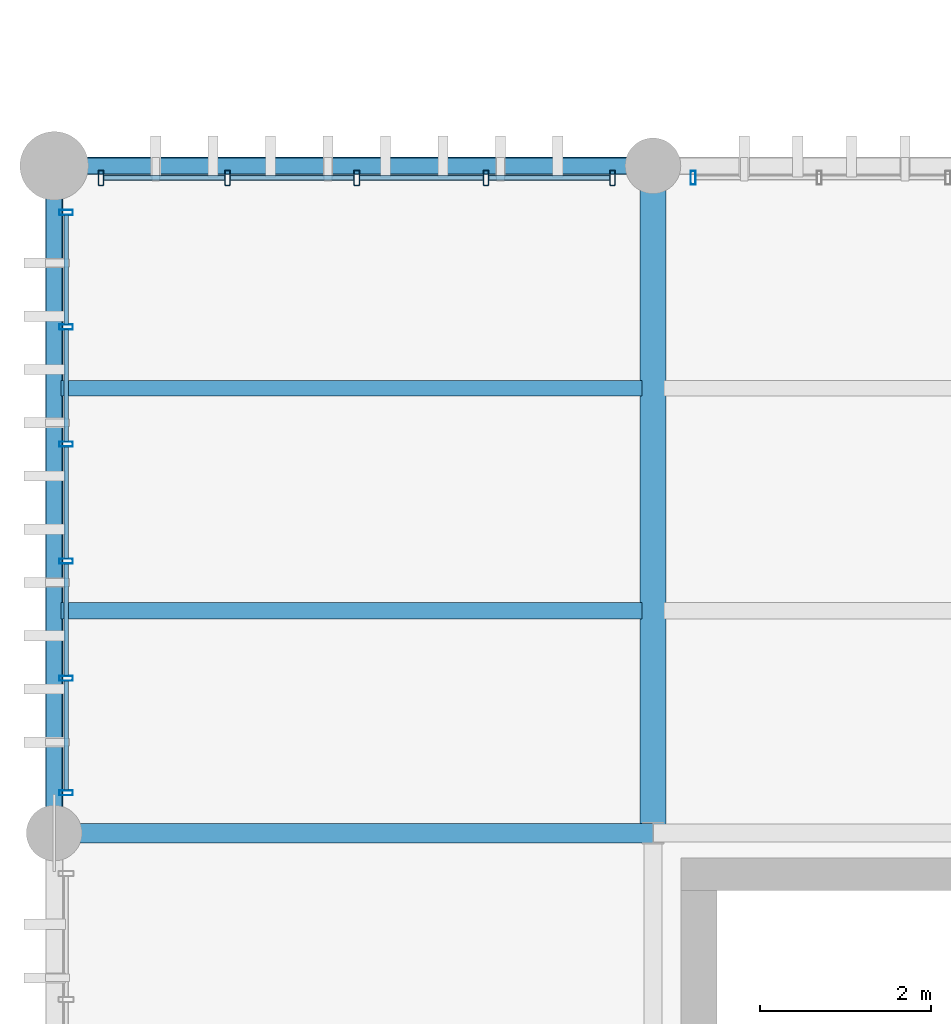
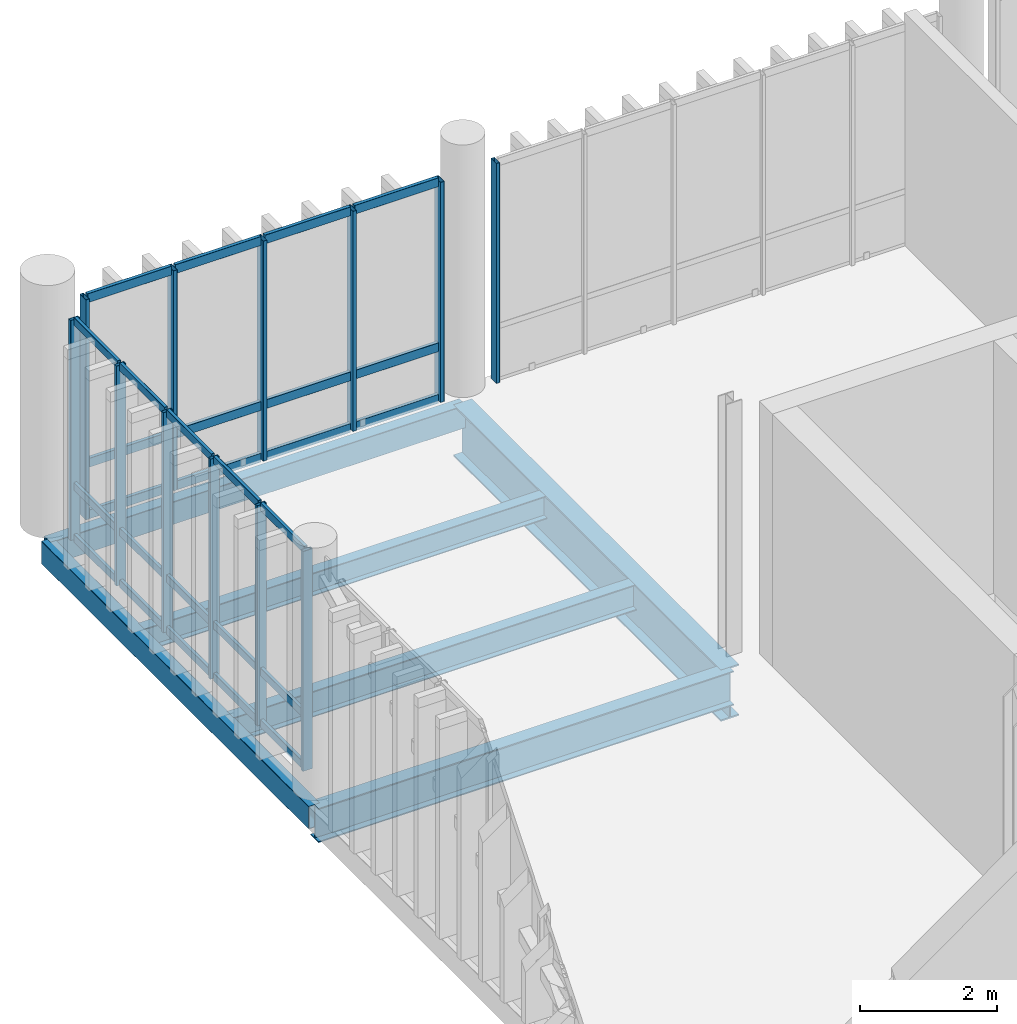
# One storey, part 11 of 66: 39 members, 6 beams, 3 elements without a shape of their own.
"""IFC4 building model written with IfcOpenShell, lengths in metres."""

import ifcopenshell
import ifcopenshell.guid

model = None  # the IFC model being written
_history = None  # IfcOwnerHistory: only IFC2X3 demands one
_inside = {}  # id of a spatial element -> (the spatial element, [elements in it])
_under = {}  # id of a project, library or spatial element -> (it, [spatial elements below it])
_declared = {}  # id of a project -> (the project, [libraries it declares])
_typed = {}  # id of a type object -> (the type object, [elements of that type])
_made_of = {}  # id of a material, layer set ... -> (it, [elements and type objects made of it])


def new_model(schema):
    """Start an empty IFC model of exactly this schema.

    Asked for "IFC4X3", IfcOpenShell would pick the latest addendum, in which some entities
    have other attributes; the version numbers below select the first issue.
    IFC2X3 requires an IfcOwnerHistory on every rooted entity: one is made here for all.
    """
    global model, _history
    if schema == "IFC4X3":
        model = ifcopenshell.file(schema_version=(4, 3, 0, 0))
    else:
        model = ifcopenshell.file(schema=schema)
    _inside.clear()
    _under.clear()
    _declared.clear()
    _typed.clear()
    _made_of.clear()
    _history = None
    if model.schema == "IFC2X3":
        org = make("IfcOrganization", Name="unknown")
        user = make(
            "IfcPersonAndOrganization",
            ThePerson=make("IfcPerson", FamilyName="unknown"),
            TheOrganization=org,
        )
        app = make(
            "IfcApplication",
            ApplicationDeveloper=org,
            Version="unknown",
            ApplicationFullName="unknown",
            ApplicationIdentifier="unknown",
        )
        _history = make(
            "IfcOwnerHistory",
            OwningUser=user,
            OwningApplication=app,
            ChangeAction="ADDED",
            CreationDate=0,
        )
    return model


def make(cls, **values):
    """One entity of the class cls with the attributes given. An attribute that is None is left unset."""
    return model.create_entity(
        cls, **{name: value for name, value in values.items() if value is not None}
    )


def rooted(cls, **values):
    """An entity with a GlobalId (a new one), such as an element, a storey or a relation."""
    return make(cls, GlobalId=ifcopenshell.guid.new(), OwnerHistory=_history, **values)


def si_unit(unit_type, name, prefix=None):
    """IfcSIUnit, for example si_unit("LENGTHUNIT", "METRE", prefix="MILLI")."""
    return make("IfcSIUnit", UnitType=unit_type, Prefix=prefix, Name=name)


def assignment(units):
    """IfcUnitAssignment: the units of a project."""
    return None if units is None else make("IfcUnitAssignment", Units=units)


def point(xyz):
    """IfcCartesianPoint."""
    return None if xyz is None else make("IfcCartesianPoint", Coordinates=xyz)


def direction(xyz):
    """IfcDirection."""
    return None if xyz is None else make("IfcDirection", DirectionRatios=xyz)


def frame(location, z_axis=None, x_axis=None):
    """IfcAxis2Placement3D, a coordinate frame: its origin and axes. An axis left out is left unset."""
    return make(
        "IfcAxis2Placement3D",
        Location=point(location),
        Axis=direction(z_axis),
        RefDirection=direction(x_axis),
    )


def frame_2d(location, x_axis=None):
    """IfcAxis2Placement2D, a coordinate frame in the plane: its origin and x axis."""
    return make(
        "IfcAxis2Placement2D", Location=point(location), RefDirection=direction(x_axis)
    )


def origin_with_axes():
    """The frame at (0, 0, 0) with the z axis (0, 0, 1) and the x axis (1, 0, 0) written out."""
    return frame((0.0, 0.0, 0.0), z_axis=(0.0, 0.0, 1.0), x_axis=(1.0, 0.0, 0.0))


def origin_2d_with_axis():
    """The frame at (0, 0) in the plane with the x axis (1, 0) written out."""
    return frame_2d((0.0, 0.0), x_axis=(1.0, 0.0))


def place(relative_to, where):
    """IfcLocalPlacement: puts the frame where relative to a parent placement (None: the world)."""
    return make(
        "IfcLocalPlacement", PlacementRelTo=relative_to, RelativePlacement=where
    )


def context(
    kind, dimensions, precision=None, world=None, true_north=None, identifier=None
):
    """IfcGeometricRepresentationContext, for example the 3D "Model" context."""
    return make(
        "IfcGeometricRepresentationContext",
        ContextIdentifier=identifier,
        ContextType=kind,
        CoordinateSpaceDimension=dimensions,
        Precision=precision,
        WorldCoordinateSystem=world,
        TrueNorth=true_north,
    )


def subcontext(parent, identifier, kind, view, scale=None):
    """IfcGeometricRepresentationSubContext, for example "Body" below "Model"."""
    return make(
        "IfcGeometricRepresentationSubContext",
        ContextIdentifier=identifier,
        ContextType=kind,
        ParentContext=parent,
        TargetScale=scale,
        TargetView=view,
    )


def project(units=None, contexts=None):
    """IfcProject with its units and contexts."""
    return rooted(
        "IfcProject",
        Name="project",
        RepresentationContexts=contexts,
        UnitsInContext=assignment(units),
    )


def spatial(cls, under=None, at=None, **own):
    """A site, building, storey or space (cls), placed at a placement, below another one or the project."""
    s = rooted(cls, ObjectPlacement=at, **own)
    if under is not None:
        _under.setdefault(under.id(), (under, []))[1].append(s)
    return s


def profile(cls, at=None, kind="AREA", **sizes):
    """A parametric profile (cls). Its sizes go by their IFC names, for example OverallWidth=200.0."""
    return make(cls, ProfileType=kind, Position=at, **sizes)


def hollow_rectangle(**sizes):
    """IfcRectangleHollowProfileDef."""
    return profile("IfcRectangleHollowProfileDef", **sizes)


def i_section(**sizes):
    """IfcIShapeProfileDef."""
    return profile("IfcIShapeProfileDef", **sizes)


def extrude(swept, where, along, depth):
    """IfcExtrudedAreaSolid: the profile swept, set in the frame where, extruded along a direction by depth."""
    return make(
        "IfcExtrudedAreaSolid",
        SweptArea=swept,
        Position=where,
        ExtrudedDirection=direction(along),
        Depth=depth,
    )


def shape(context_of_items, identifier, shape_type, items):
    """IfcShapeRepresentation: the items that make up one representation, for example the "Body"."""
    return make(
        "IfcShapeRepresentation",
        ContextOfItems=context_of_items,
        RepresentationIdentifier=identifier,
        RepresentationType=shape_type,
        Items=items,
    )


def material(Name=None, Category=None):
    """IfcMaterial."""
    return make("IfcMaterial", Name=Name, Category=Category)


def material_profile(
    of_material, cross_section, Name=None, Category=None, Priority=None
):
    """IfcMaterialProfile: a cross section and its material."""
    return make(
        "IfcMaterialProfile",
        Name=Name,
        Material=of_material,
        Profile=cross_section,
        Priority=Priority,
        Category=Category,
    )


def profile_set(profiles, Name=None, composite=None):
    """IfcMaterialProfileSet."""
    return make(
        "IfcMaterialProfileSet",
        Name=Name,
        MaterialProfiles=profiles,
        CompositeProfile=composite,
    )


def made_of(thing, what):
    """Note that an element or type object is made of a material, layer set ...; save() writes the relation."""
    if what is not None:
        _made_of.setdefault(what.id(), (what, []))[1].append(thing)
    return thing


def type_object(cls, material=None, **own):
    """A type object (cls), such as IfcWallType, which elements share."""
    return made_of(rooted(cls, **own), material)


def element(
    cls,
    number,
    at=None,
    inside=None,
    cuts=None,
    type_object=None,
    material=None,
    context=None,
    identifier="Body",
    shape_type=None,
    held_by="IfcProductDefinitionShape",
    body=None,
    shapes=None,
    **own,
):
    """One element of the class cls, such as IfcWall. Its Tag is "e" and its number.

    at: its placement. inside: the storey or other place that contains it. cuts: it is an
    opening in that element (IfcRelVoidsElement). A single representation is given by context,
    identifier, shape_type and body (its items); several are given by shapes. held_by: the class
    of the entity that holds the representations. save() writes the other relations.
    """
    e = rooted(cls, Tag="e%d" % number, ObjectPlacement=at, **own)
    if body is not None:
        shapes = [shape(context, identifier, shape_type, body)]
    if shapes is not None:
        e.Representation = make(held_by, Representations=shapes)
    if inside is not None:
        _inside.setdefault(inside.id(), (inside, []))[1].append(e)
    if cuts is not None:
        rooted(
            "IfcRelVoidsElement", RelatingBuildingElement=cuts, RelatedOpeningElement=e
        )
    if type_object is not None:
        _typed.setdefault(type_object.id(), (type_object, []))[1].append(e)
    return made_of(e, material)


def aggregate(whole, parts):
    """IfcRelAggregates: a whole, such as a stair, and the parts it consists of."""
    return rooted("IfcRelAggregates", RelatingObject=whole, RelatedObjects=parts)


def save(model, path):
    """Write the relations noted so far, then the file.

    IfcRelAggregates (storeys below a building ...), IfcRelContainedInSpatialStructure (elements
    in a storey), IfcRelDefinesByType, IfcRelAssociatesMaterial and IfcRelDeclares: one each for
    every whole, place, type object, material and project.
    """
    for whole, parts in _under.values():
        aggregate(whole, parts)
    for where, things in _inside.values():
        rooted(
            "IfcRelContainedInSpatialStructure",
            RelatedElements=things,
            RelatingStructure=where,
        )
    for kind, things in _typed.values():
        rooted("IfcRelDefinesByType", RelatedObjects=things, RelatingType=kind)
    for what, things in _made_of.values():
        rooted("IfcRelAssociatesMaterial", RelatedObjects=things, RelatingMaterial=what)
    for by, libraries in _declared.values():
        rooted("IfcRelDeclares", RelatingContext=by, RelatedDefinitions=libraries)
    model.write(path)


model = new_model("IFC4")

# Units and contexts
model_context = context("Model", 3, precision=1e-05, world=origin_with_axes(), true_north=direction((0.0, 1.0)))
body_context = subcontext(model_context, "Body", "Model", "MODEL_VIEW")
ifc_project = project(units=[si_unit("LENGTHUNIT", "METRE"), si_unit("AREAUNIT", "SQUARE_METRE"), si_unit("VOLUMEUNIT", "CUBIC_METRE"), si_unit("PLANEANGLEUNIT", "RADIAN"), si_unit("MASSUNIT", "GRAM", prefix="KILO"), si_unit("THERMODYNAMICTEMPERATUREUNIT", "KELVIN")], contexts=[model_context])

# Site, building, storey
site_placement = place(None, origin_with_axes())
site = spatial("IfcSite", under=ifc_project, at=site_placement, CompositionType="ELEMENT")
building_placement = place(site_placement, origin_with_axes())
building = spatial("IfcBuilding", under=site, at=building_placement, Name="Montbau Bow Law Courts", CompositionType="ELEMENT")
storey_placement = place(building_placement, frame((0.0, 0.0, 34.5), z_axis=(0.0, 0.0, 1.0), x_axis=(1.0, 0.0, 0.0)))
storey = spatial("IfcBuildingStorey", under=building, at=storey_placement, Name="L07", CompositionType="ELEMENT", Elevation=34.5)

# Beams
ifc_material_1 = material(Name="Steel CSA G40.21 Grade 350W (350 MPa)", Category="steel")
ifc_material_profile_1 = material_profile(ifc_material_1, i_section(OverallWidth=0.306, OverallDepth=0.919, WebThickness=0.0173, FlangeThickness=0.0279, at=origin_2d_with_axis()), Name="W920X253", Category="Main", Priority=0)
ifc_profile_set_1 = profile_set([ifc_material_profile_1], Name="Steel CSA G40.21 Grade 350W (350 MPa)")
beam_type_1 = type_object("IfcBeamType", Name="B-FLR-01", PredefinedType="BEAM", material=ifc_profile_set_1)
beam_1_placement = place(None, frame((13.8, 54.6, 33.741), z_axis=(0.0, 1.0, 0.0), x_axis=(-1.0, 0.0, 0.0)))
element("IfcBeam", 1, at=beam_1_placement, inside=storey, type_object=beam_type_1, Name="BM-L07-S0744:bm2_0747", PredefinedType="BEAM", context=body_context, shape_type="SweptSolid", body=[
    extrude(i_section(OverallWidth=0.306, OverallDepth=0.919, WebThickness=0.0173, FlangeThickness=0.0279, at=origin_2d_with_axis()), origin_with_axes(), (0.0, 0.0, 1.0), 7.8),
])
ifc_material_profile_2 = material_profile(ifc_material_1, i_section(OverallWidth=0.229, OverallDepth=0.612, WebThickness=0.0119, FlangeThickness=0.0196, at=origin_2d_with_axis()), Name="W610X125", Category="Main", Priority=0)
ifc_profile_set_2 = profile_set([ifc_material_profile_2], Name="Steel CSA G40.21 Grade 350W (350 MPa)")
beam_type_2 = type_object("IfcBeamType", Name="B-FLR-05", PredefinedType="BEAM", material=ifc_profile_set_2)
beam_2_placement = place(None, frame((6.8, 54.6, 33.894), z_axis=(1.0, 0.0, 0.0), x_axis=(0.0, 1.0, 0.0)))
element("IfcBeam", 2, at=beam_2_placement, inside=storey, type_object=beam_type_2, Name="BM-L07-S0728:bm2_0731", PredefinedType="BEAM", context=body_context, shape_type="SweptSolid", body=[
    extrude(i_section(OverallWidth=0.229, OverallDepth=0.612, WebThickness=0.0119, FlangeThickness=0.0196, at=origin_2d_with_axis()), origin_with_axes(), (0.0, 0.0, 1.0), 7.0),
])
ifc_material_profile_3 = material_profile(ifc_material_1, i_section(OverallWidth=0.191, OverallDepth=0.46, WebThickness=0.0099, FlangeThickness=0.016, at=origin_2d_with_axis()), Name="W460X82", Category="Main", Priority=0)
ifc_profile_set_3 = profile_set([ifc_material_profile_3], Name="Steel CSA G40.21 Grade 350W (350 MPa)")
beam_type_3 = type_object("IfcBeamType", Name="B-JST-01", PredefinedType="JOIST", material=ifc_profile_set_3)
beam_3_placement = place(None, frame((6.88, 57.2, 33.97), z_axis=(1.0, 0.0, 0.0), x_axis=(0.0, 1.0, 0.0)))
element("IfcBeam", 3, at=beam_3_placement, inside=storey, type_object=beam_type_3, Name="JST-L07-S0364:jst2_0364", PredefinedType="JOIST", context=body_context, shape_type="SweptSolid", body=[
    extrude(i_section(OverallWidth=0.191, OverallDepth=0.46, WebThickness=0.0099, FlangeThickness=0.016, at=origin_2d_with_axis()), origin_with_axes(), (0.0, 0.0, 1.0), 6.791),
])
ifc_material_profile_4 = material_profile(ifc_material_1, i_section(OverallWidth=0.179, OverallDepth=0.41, WebThickness=0.0088, FlangeThickness=0.0144, at=origin_2d_with_axis()), Name="W410X67", Category="Main", Priority=0)
ifc_profile_set_4 = profile_set([ifc_material_profile_4], Name="Steel CSA G40.21 Grade 350W (350 MPa)")
beam_type_4 = type_object("IfcBeamType", Name="B-JST-02", PredefinedType="JOIST", material=ifc_profile_set_4)
beam_4_placement = place(None, frame((6.88, 59.8, 33.995), z_axis=(1.0, 0.0, 0.0), x_axis=(0.0, 1.0, 0.0)))
element("IfcBeam", 4, at=beam_4_placement, inside=storey, type_object=beam_type_4, Name="JST-L07-S0365:jst2_0365", PredefinedType="JOIST", context=body_context, shape_type="SweptSolid", body=[
    extrude(i_section(OverallWidth=0.179, OverallDepth=0.41, WebThickness=0.0088, FlangeThickness=0.0144, at=origin_2d_with_axis()), origin_with_axes(), (0.0, 0.0, 1.0), 6.791),
])
ifc_material_2 = material(Name="Steel CSA G40.21 Grade 350WT (350 MPa)", Category="steel")
ifc_material_profile_5 = material_profile(ifc_material_2, hollow_rectangle(XDim=0.203, YDim=0.406, WallThickness=0.0127, InnerFilletRadius=0.0254, OuterFilletRadius=0.0127, at=origin_2d_with_axis()), Name="HSS406X203X13", Category="Main", Priority=0)
ifc_profile_set_5 = profile_set([ifc_material_profile_5], Name="Steel CSA G40.21 Grade 350WT (350 MPa)")
beam_type_5 = type_object("IfcBeamType", Name="B-SPN-01", PredefinedType="SPANDREL", material=ifc_profile_set_5)
beam_5_placement = place(None, frame((6.8, 62.4, 33.997), z_axis=(1.0, 0.0, 0.0), x_axis=(0.0, 1.0, 0.0)))
element("IfcBeam", 5, at=beam_5_placement, inside=storey, type_object=beam_type_5, Name="SPN-L07-S0733:bm2_0736", PredefinedType="SPANDREL", context=body_context, shape_type="SweptSolid", body=[
    extrude(hollow_rectangle(XDim=0.203, YDim=0.406, WallThickness=0.0127, InnerFilletRadius=0.0254, OuterFilletRadius=0.0127, at=origin_2d_with_axis()), origin_with_axes(), (0.0, 0.0, 1.0), 7.0),
])
beam_6_placement = place(None, frame((6.8, 54.6, 33.997), z_axis=(0.0, 1.0, 0.0), x_axis=(-1.0, 0.0, 0.0)))
element("IfcBeam", 6, at=beam_6_placement, inside=storey, type_object=beam_type_5, Name="SPN-L07-S0741:bm2_0744", PredefinedType="SPANDREL", context=body_context, shape_type="SweptSolid", body=[
    extrude(hollow_rectangle(XDim=0.203, YDim=0.406, WallThickness=0.0127, InnerFilletRadius=0.0254, OuterFilletRadius=0.0127, at=origin_2d_with_axis()), origin_with_axes(), (0.0, 0.0, 1.0), 7.8),
])

# Curtain wall, members
ifc_material_3 = material(Name="Thermally Broken Extruded Aluminium AA 6063-T6", Category="aluminium")
curtain_wall_type = type_object("IfcCurtainWallType", Name="CW-TRC-02", PredefinedType="NOTDEFINED", material=ifc_material_3)
curtain_wall_1_placement = place(None, frame((7.315, 62.26, 34.5), z_axis=(0.0, 0.0, 1.0), x_axis=(1.0, 0.0, 0.0)))
curtain_wall_1 = element("IfcCurtainWall", 7, at=curtain_wall_1_placement, inside=storey, type_object=curtain_wall_type, Name="CW-L07-112:cw_0112", PredefinedType="NOTDEFINED")
ifc_material_profile_6 = material_profile(ifc_material_3, hollow_rectangle(XDim=0.065, YDim=0.18, WallThickness=0.005, InnerFilletRadius=0.01, OuterFilletRadius=0.005, at=origin_2d_with_axis()), Name="CWM-180X65", Category="Main", Priority=0)
ifc_profile_set_6 = profile_set([ifc_material_profile_6], Name="Thermally Broken Extruded Aluminium AA 6063-T6")
member_type_1 = type_object("IfcMemberType", Name="M-MUL-02", PredefinedType="MULLION", material=ifc_profile_set_6)
member_1_placement = place(None, frame((7.348, 62.26, 34.5), z_axis=(0.0, 0.0, 1.0), x_axis=(1.0, 0.0, 0.0)))
member_1 = element("IfcMember", 8, at=member_1_placement, type_object=member_type_1, Name="CW-L07-112-M01:cw_0112_M01", PredefinedType="MULLION", context=body_context, shape_type="SweptSolid", body=[
    extrude(hollow_rectangle(XDim=0.065, YDim=0.18, WallThickness=0.005, InnerFilletRadius=0.01, OuterFilletRadius=0.005, at=origin_2d_with_axis()), origin_with_axes(), (0.0, 0.0, 1.0), 3.92),
])
member_2_placement = place(None, frame((8.826, 62.26, 34.5), z_axis=(0.0, 0.0, 1.0), x_axis=(1.0, 0.0, 0.0)))
member_2 = element("IfcMember", 9, at=member_2_placement, type_object=member_type_1, Name="CW-L07-112-M02:cw_0112_M02", PredefinedType="MULLION", context=body_context, shape_type="SweptSolid", body=[
    extrude(hollow_rectangle(XDim=0.065, YDim=0.18, WallThickness=0.005, InnerFilletRadius=0.01, OuterFilletRadius=0.005, at=origin_2d_with_axis()), origin_with_axes(), (0.0, 0.0, 1.0), 3.92),
])
member_3_placement = place(None, frame((10.337, 62.26, 34.5), z_axis=(0.0, 0.0, 1.0), x_axis=(1.0, 0.0, 0.0)))
member_3 = element("IfcMember", 10, at=member_3_placement, type_object=member_type_1, Name="CW-L07-112-M03:cw_0112_M03", PredefinedType="MULLION", context=body_context, shape_type="SweptSolid", body=[
    extrude(hollow_rectangle(XDim=0.065, YDim=0.18, WallThickness=0.005, InnerFilletRadius=0.01, OuterFilletRadius=0.005, at=origin_2d_with_axis()), origin_with_axes(), (0.0, 0.0, 1.0), 3.92),
])
member_4_placement = place(None, frame((11.849, 62.26, 34.5), z_axis=(0.0, 0.0, 1.0), x_axis=(1.0, 0.0, 0.0)))
member_4 = element("IfcMember", 11, at=member_4_placement, type_object=member_type_1, Name="CW-L07-112-M04:cw_0112_M04", PredefinedType="MULLION", context=body_context, shape_type="SweptSolid", body=[
    extrude(hollow_rectangle(XDim=0.065, YDim=0.18, WallThickness=0.005, InnerFilletRadius=0.01, OuterFilletRadius=0.005, at=origin_2d_with_axis()), origin_with_axes(), (0.0, 0.0, 1.0), 3.92),
])
member_5_placement = place(None, frame((13.327, 62.26, 34.5), z_axis=(0.0, 0.0, 1.0), x_axis=(1.0, 0.0, 0.0)))
member_5 = element("IfcMember", 12, at=member_5_placement, type_object=member_type_1, Name="CW-L07-112-M05:cw_0112_M05", PredefinedType="MULLION", context=body_context, shape_type="SweptSolid", body=[
    extrude(hollow_rectangle(XDim=0.065, YDim=0.18, WallThickness=0.005, InnerFilletRadius=0.01, OuterFilletRadius=0.005, at=origin_2d_with_axis()), origin_with_axes(), (0.0, 0.0, 1.0), 3.92),
])

# Curtain wall, member
curtain_wall_2_placement = place(None, frame((14.24, 62.26, 34.5), z_axis=(0.0, 0.0, 1.0), x_axis=(1.0, 0.0, 0.0)))
curtain_wall_2 = element("IfcCurtainWall", 13, at=curtain_wall_2_placement, inside=storey, type_object=curtain_wall_type, Name="CW-L07-113:cw_0113", PredefinedType="NOTDEFINED")
ifc_material_profile_7 = material_profile(ifc_material_3, hollow_rectangle(XDim=0.06, YDim=0.16, WallThickness=0.004, InnerFilletRadius=0.008, OuterFilletRadius=0.004, at=origin_2d_with_axis()), Name="CWM-160X60", Category="Main", Priority=0)
ifc_profile_set_7 = profile_set([ifc_material_profile_7], Name="Thermally Broken Extruded Aluminium AA 6063-T6")
member_type_2 = type_object("IfcMemberType", Name="M-MUL-03", PredefinedType="MULLION", material=ifc_profile_set_7)
member_6_placement = place(None, frame((14.27, 62.26, 34.5), z_axis=(0.0, 0.0, 1.0), x_axis=(1.0, 0.0, 0.0)))
member_6 = element("IfcMember", 14, at=member_6_placement, type_object=member_type_2, Name="CW-L07-113-M01:cw_0113_M01", PredefinedType="MULLION", context=body_context, shape_type="SweptSolid", body=[
    extrude(hollow_rectangle(XDim=0.06, YDim=0.16, WallThickness=0.004, InnerFilletRadius=0.008, OuterFilletRadius=0.004, at=origin_2d_with_axis()), origin_with_axes(), (0.0, 0.0, 1.0), 3.92),
])
aggregate(curtain_wall_2, [member_6])

# Curtain wall, members
curtain_wall_3_placement = place(None, frame((6.94, 55.04, 34.5), z_axis=(0.0, 0.0, 1.0), x_axis=(1.0, 0.0, 0.0)))
curtain_wall_3 = element("IfcCurtainWall", 15, at=curtain_wall_3_placement, inside=storey, type_object=curtain_wall_type, Name="CW-L07-119:cw_0119", PredefinedType="NOTDEFINED")
member_7_placement = place(None, frame((6.94, 55.07, 34.5), z_axis=(0.0, 0.0, 1.0), x_axis=(0.0, 1.0, 0.0)))
member_7 = element("IfcMember", 16, at=member_7_placement, type_object=member_type_2, Name="CW-L07-119-M01:cw_0119_M01", PredefinedType="MULLION", context=body_context, shape_type="SweptSolid", body=[
    extrude(hollow_rectangle(XDim=0.06, YDim=0.16, WallThickness=0.004, InnerFilletRadius=0.008, OuterFilletRadius=0.004, at=origin_2d_with_axis()), origin_with_axes(), (0.0, 0.0, 1.0), 3.92),
])
member_8_placement = place(None, frame((6.94, 56.409, 34.5), z_axis=(0.0, 0.0, 1.0), x_axis=(0.0, 1.0, 0.0)))
member_8 = element("IfcMember", 17, at=member_8_placement, type_object=member_type_2, Name="CW-L07-119-M02:cw_0119_M02", PredefinedType="MULLION", context=body_context, shape_type="SweptSolid", body=[
    extrude(hollow_rectangle(XDim=0.06, YDim=0.16, WallThickness=0.004, InnerFilletRadius=0.008, OuterFilletRadius=0.004, at=origin_2d_with_axis()), origin_with_axes(), (0.0, 0.0, 1.0), 3.92),
])
member_9_placement = place(None, frame((6.94, 57.778, 34.5), z_axis=(0.0, 0.0, 1.0), x_axis=(0.0, 1.0, 0.0)))
member_9 = element("IfcMember", 18, at=member_9_placement, type_object=member_type_2, Name="CW-L07-119-M03:cw_0119_M03", PredefinedType="MULLION", context=body_context, shape_type="SweptSolid", body=[
    extrude(hollow_rectangle(XDim=0.06, YDim=0.16, WallThickness=0.004, InnerFilletRadius=0.008, OuterFilletRadius=0.004, at=origin_2d_with_axis()), origin_with_axes(), (0.0, 0.0, 1.0), 3.92),
])
member_10_placement = place(None, frame((6.94, 59.147, 34.5), z_axis=(0.0, 0.0, 1.0), x_axis=(0.0, 1.0, 0.0)))
member_10 = element("IfcMember", 19, at=member_10_placement, type_object=member_type_2, Name="CW-L07-119-M04:cw_0119_M04", PredefinedType="MULLION", context=body_context, shape_type="SweptSolid", body=[
    extrude(hollow_rectangle(XDim=0.06, YDim=0.16, WallThickness=0.004, InnerFilletRadius=0.008, OuterFilletRadius=0.004, at=origin_2d_with_axis()), origin_with_axes(), (0.0, 0.0, 1.0), 3.92),
])
member_11_placement = place(None, frame((6.94, 60.516, 34.5), z_axis=(0.0, 0.0, 1.0), x_axis=(0.0, 1.0, 0.0)))
member_11 = element("IfcMember", 20, at=member_11_placement, type_object=member_type_2, Name="CW-L07-119-M05:cw_0119_M05", PredefinedType="MULLION", context=body_context, shape_type="SweptSolid", body=[
    extrude(hollow_rectangle(XDim=0.06, YDim=0.16, WallThickness=0.004, InnerFilletRadius=0.008, OuterFilletRadius=0.004, at=origin_2d_with_axis()), origin_with_axes(), (0.0, 0.0, 1.0), 3.92),
])
member_12_placement = place(None, frame((6.94, 61.855, 34.5), z_axis=(0.0, 0.0, 1.0), x_axis=(0.0, 1.0, 0.0)))
member_12 = element("IfcMember", 21, at=member_12_placement, type_object=member_type_2, Name="CW-L07-119-M06:cw_0119_M06", PredefinedType="MULLION", context=body_context, shape_type="SweptSolid", body=[
    extrude(hollow_rectangle(XDim=0.06, YDim=0.16, WallThickness=0.004, InnerFilletRadius=0.008, OuterFilletRadius=0.004, at=origin_2d_with_axis()), origin_with_axes(), (0.0, 0.0, 1.0), 3.92),
])

# Member
ifc_material_profile_8 = material_profile(ifc_material_3, hollow_rectangle(XDim=0.06, YDim=0.16, WallThickness=0.004, InnerFilletRadius=0.008, OuterFilletRadius=0.004, at=origin_2d_with_axis()), Name="CWT-160X60", Category="Main", Priority=0)
ifc_profile_set_8 = profile_set([ifc_material_profile_8], Name="Thermally Broken Extruded Aluminium AA 6063-T6")
member_type_3 = type_object("IfcMemberType", Name="M-TRN-01", PredefinedType="USERDEFINED", material=ifc_profile_set_8)
member_13_placement = place(None, frame((7.383, 62.26, 34.53), z_axis=(1.0, 0.0, 0.0), x_axis=(0.0, 1.0, 0.0)))
member_13 = element("IfcMember", 22, at=member_13_placement, type_object=member_type_3, Name="CW-L07-112-T01-1:cw_0112_T01_1", ObjectType="TRANSOM", PredefinedType="USERDEFINED", context=body_context, shape_type="SweptSolid", body=[
    extrude(hollow_rectangle(XDim=0.06, YDim=0.16, WallThickness=0.004, InnerFilletRadius=0.008, OuterFilletRadius=0.004, at=origin_2d_with_axis()), origin_with_axes(), (0.0, 0.0, 1.0), 1.408),
])

member_14_placement = place(None, frame((7.383, 62.26, 35.45), z_axis=(1.0, 0.0, 0.0), x_axis=(0.0, 1.0, 0.0)))
member_14 = element("IfcMember", 23, at=member_14_placement, type_object=member_type_3, Name="CW-L07-112-T01-2:cw_0112_T01_2", ObjectType="TRANSOM", PredefinedType="USERDEFINED", context=body_context, shape_type="SweptSolid", body=[
    extrude(hollow_rectangle(XDim=0.06, YDim=0.16, WallThickness=0.004, InnerFilletRadius=0.008, OuterFilletRadius=0.004, at=origin_2d_with_axis()), origin_with_axes(), (0.0, 0.0, 1.0), 1.408),
])

member_15_placement = place(None, frame((7.383, 62.26, 38.39), z_axis=(1.0, 0.0, 0.0), x_axis=(0.0, 1.0, 0.0)))
member_15 = element("IfcMember", 24, at=member_15_placement, type_object=member_type_3, Name="CW-L07-112-T01-3:cw_0112_T01_3", ObjectType="TRANSOM", PredefinedType="USERDEFINED", context=body_context, shape_type="SweptSolid", body=[
    extrude(hollow_rectangle(XDim=0.06, YDim=0.16, WallThickness=0.004, InnerFilletRadius=0.008, OuterFilletRadius=0.004, at=origin_2d_with_axis()), origin_with_axes(), (0.0, 0.0, 1.0), 1.408),
])

member_16_placement = place(None, frame((8.86, 62.26, 34.53), z_axis=(1.0, 0.0, 0.0), x_axis=(0.0, 1.0, 0.0)))
member_16 = element("IfcMember", 25, at=member_16_placement, type_object=member_type_3, Name="CW-L07-112-T02-1:cw_0112_T02_1", ObjectType="TRANSOM", PredefinedType="USERDEFINED", context=body_context, shape_type="SweptSolid", body=[
    extrude(hollow_rectangle(XDim=0.06, YDim=0.16, WallThickness=0.004, InnerFilletRadius=0.008, OuterFilletRadius=0.004, at=origin_2d_with_axis()), origin_with_axes(), (0.0, 0.0, 1.0), 1.442),
])

member_17_placement = place(None, frame((8.86, 62.26, 35.45), z_axis=(1.0, 0.0, 0.0), x_axis=(0.0, 1.0, 0.0)))
member_17 = element("IfcMember", 26, at=member_17_placement, type_object=member_type_3, Name="CW-L07-112-T02-2:cw_0112_T02_2", ObjectType="TRANSOM", PredefinedType="USERDEFINED", context=body_context, shape_type="SweptSolid", body=[
    extrude(hollow_rectangle(XDim=0.06, YDim=0.16, WallThickness=0.004, InnerFilletRadius=0.008, OuterFilletRadius=0.004, at=origin_2d_with_axis()), origin_with_axes(), (0.0, 0.0, 1.0), 1.442),
])

member_18_placement = place(None, frame((8.86, 62.26, 38.39), z_axis=(1.0, 0.0, 0.0), x_axis=(0.0, 1.0, 0.0)))
member_18 = element("IfcMember", 27, at=member_18_placement, type_object=member_type_3, Name="CW-L07-112-T02-3:cw_0112_T02_3", ObjectType="TRANSOM", PredefinedType="USERDEFINED", context=body_context, shape_type="SweptSolid", body=[
    extrude(hollow_rectangle(XDim=0.06, YDim=0.16, WallThickness=0.004, InnerFilletRadius=0.008, OuterFilletRadius=0.004, at=origin_2d_with_axis()), origin_with_axes(), (0.0, 0.0, 1.0), 1.442),
])

member_19_placement = place(None, frame((10.371, 62.26, 34.53), z_axis=(1.0, 0.0, 0.0), x_axis=(0.0, 1.0, 0.0)))
member_19 = element("IfcMember", 28, at=member_19_placement, type_object=member_type_3, Name="CW-L07-112-T03-1:cw_0112_T03_1", ObjectType="TRANSOM", PredefinedType="USERDEFINED", context=body_context, shape_type="SweptSolid", body=[
    extrude(hollow_rectangle(XDim=0.06, YDim=0.16, WallThickness=0.004, InnerFilletRadius=0.008, OuterFilletRadius=0.004, at=origin_2d_with_axis()), origin_with_axes(), (0.0, 0.0, 1.0), 1.444),
])

member_20_placement = place(None, frame((10.371, 62.26, 35.45), z_axis=(1.0, 0.0, 0.0), x_axis=(0.0, 1.0, 0.0)))
member_20 = element("IfcMember", 29, at=member_20_placement, type_object=member_type_3, Name="CW-L07-112-T03-2:cw_0112_T03_2", ObjectType="TRANSOM", PredefinedType="USERDEFINED", context=body_context, shape_type="SweptSolid", body=[
    extrude(hollow_rectangle(XDim=0.06, YDim=0.16, WallThickness=0.004, InnerFilletRadius=0.008, OuterFilletRadius=0.004, at=origin_2d_with_axis()), origin_with_axes(), (0.0, 0.0, 1.0), 1.444),
])

member_21_placement = place(None, frame((10.371, 62.26, 38.39), z_axis=(1.0, 0.0, 0.0), x_axis=(0.0, 1.0, 0.0)))
member_21 = element("IfcMember", 30, at=member_21_placement, type_object=member_type_3, Name="CW-L07-112-T03-3:cw_0112_T03_3", ObjectType="TRANSOM", PredefinedType="USERDEFINED", context=body_context, shape_type="SweptSolid", body=[
    extrude(hollow_rectangle(XDim=0.06, YDim=0.16, WallThickness=0.004, InnerFilletRadius=0.008, OuterFilletRadius=0.004, at=origin_2d_with_axis()), origin_with_axes(), (0.0, 0.0, 1.0), 1.444),
])

member_22_placement = place(None, frame((11.883, 62.26, 34.53), z_axis=(1.0, 0.0, 0.0), x_axis=(0.0, 1.0, 0.0)))
member_22 = element("IfcMember", 31, at=member_22_placement, type_object=member_type_3, Name="CW-L07-112-T04-1:cw_0112_T04_1", ObjectType="TRANSOM", PredefinedType="USERDEFINED", context=body_context, shape_type="SweptSolid", body=[
    extrude(hollow_rectangle(XDim=0.06, YDim=0.16, WallThickness=0.004, InnerFilletRadius=0.008, OuterFilletRadius=0.004, at=origin_2d_with_axis()), origin_with_axes(), (0.0, 0.0, 1.0), 1.41),
])

member_23_placement = place(None, frame((11.883, 62.26, 35.45), z_axis=(1.0, 0.0, 0.0), x_axis=(0.0, 1.0, 0.0)))
member_23 = element("IfcMember", 32, at=member_23_placement, type_object=member_type_3, Name="CW-L07-112-T04-2:cw_0112_T04_2", ObjectType="TRANSOM", PredefinedType="USERDEFINED", context=body_context, shape_type="SweptSolid", body=[
    extrude(hollow_rectangle(XDim=0.06, YDim=0.16, WallThickness=0.004, InnerFilletRadius=0.008, OuterFilletRadius=0.004, at=origin_2d_with_axis()), origin_with_axes(), (0.0, 0.0, 1.0), 1.41),
])

member_24_placement = place(None, frame((11.883, 62.26, 38.39), z_axis=(1.0, 0.0, 0.0), x_axis=(0.0, 1.0, 0.0)))
member_24 = element("IfcMember", 33, at=member_24_placement, type_object=member_type_3, Name="CW-L07-112-T04-3:cw_0112_T04_3", ObjectType="TRANSOM", PredefinedType="USERDEFINED", context=body_context, shape_type="SweptSolid", body=[
    extrude(hollow_rectangle(XDim=0.06, YDim=0.16, WallThickness=0.004, InnerFilletRadius=0.008, OuterFilletRadius=0.004, at=origin_2d_with_axis()), origin_with_axes(), (0.0, 0.0, 1.0), 1.41),
])

aggregate(curtain_wall_1, [member_1, member_2, member_3, member_4, member_5, member_13, member_14, member_15, member_16, member_17, member_18, member_19, member_20, member_21, member_22, member_23, member_24])

ifc_material_profile_9 = material_profile(ifc_material_3, hollow_rectangle(XDim=0.055, YDim=0.14, WallThickness=0.004, InnerFilletRadius=0.008, OuterFilletRadius=0.004, at=origin_2d_with_axis()), Name="CWT-140X55", Category="Main", Priority=0)
ifc_profile_set_9 = profile_set([ifc_material_profile_9], Name="Thermally Broken Extruded Aluminium AA 6063-T6")
member_type_4 = type_object("IfcMemberType", Name="M-TRN-02", PredefinedType="USERDEFINED", material=ifc_profile_set_9)
member_25_placement = place(None, frame((6.94, 55.102, 34.528), z_axis=(0.0, 1.0, 0.0), x_axis=(-1.0, 0.0, 0.0)))
member_25 = element("IfcMember", 34, at=member_25_placement, type_object=member_type_4, Name="CW-L07-119-T01-1:cw_0119_T01_1", ObjectType="TRANSOM", PredefinedType="USERDEFINED", context=body_context, shape_type="SweptSolid", body=[
    extrude(hollow_rectangle(XDim=0.055, YDim=0.14, WallThickness=0.004, InnerFilletRadius=0.008, OuterFilletRadius=0.004, at=origin_2d_with_axis()), origin_with_axes(), (0.0, 0.0, 1.0), 1.275),
])

member_26_placement = place(None, frame((6.94, 55.102, 35.45), z_axis=(0.0, 1.0, 0.0), x_axis=(-1.0, 0.0, 0.0)))
member_26 = element("IfcMember", 35, at=member_26_placement, type_object=member_type_4, Name="CW-L07-119-T01-2:cw_0119_T01_2", ObjectType="TRANSOM", PredefinedType="USERDEFINED", context=body_context, shape_type="SweptSolid", body=[
    extrude(hollow_rectangle(XDim=0.055, YDim=0.14, WallThickness=0.004, InnerFilletRadius=0.008, OuterFilletRadius=0.004, at=origin_2d_with_axis()), origin_with_axes(), (0.0, 0.0, 1.0), 1.275),
])

member_27_placement = place(None, frame((6.94, 55.102, 38.392), z_axis=(0.0, 1.0, 0.0), x_axis=(-1.0, 0.0, 0.0)))
member_27 = element("IfcMember", 36, at=member_27_placement, type_object=member_type_4, Name="CW-L07-119-T01-3:cw_0119_T01_3", ObjectType="TRANSOM", PredefinedType="USERDEFINED", context=body_context, shape_type="SweptSolid", body=[
    extrude(hollow_rectangle(XDim=0.055, YDim=0.14, WallThickness=0.004, InnerFilletRadius=0.008, OuterFilletRadius=0.004, at=origin_2d_with_axis()), origin_with_axes(), (0.0, 0.0, 1.0), 1.275),
])

member_28_placement = place(None, frame((6.94, 56.441, 34.528), z_axis=(0.0, 1.0, 0.0), x_axis=(-1.0, 0.0, 0.0)))
member_28 = element("IfcMember", 37, at=member_28_placement, type_object=member_type_4, Name="CW-L07-119-T02-1:cw_0119_T02_1", ObjectType="TRANSOM", PredefinedType="USERDEFINED", context=body_context, shape_type="SweptSolid", body=[
    extrude(hollow_rectangle(XDim=0.055, YDim=0.14, WallThickness=0.004, InnerFilletRadius=0.008, OuterFilletRadius=0.004, at=origin_2d_with_axis()), origin_with_axes(), (0.0, 0.0, 1.0), 1.305),
])

member_29_placement = place(None, frame((6.94, 56.441, 35.45), z_axis=(0.0, 1.0, 0.0), x_axis=(-1.0, 0.0, 0.0)))
member_29 = element("IfcMember", 38, at=member_29_placement, type_object=member_type_4, Name="CW-L07-119-T02-2:cw_0119_T02_2", ObjectType="TRANSOM", PredefinedType="USERDEFINED", context=body_context, shape_type="SweptSolid", body=[
    extrude(hollow_rectangle(XDim=0.055, YDim=0.14, WallThickness=0.004, InnerFilletRadius=0.008, OuterFilletRadius=0.004, at=origin_2d_with_axis()), origin_with_axes(), (0.0, 0.0, 1.0), 1.305),
])

member_30_placement = place(None, frame((6.94, 56.441, 38.392), z_axis=(0.0, 1.0, 0.0), x_axis=(-1.0, 0.0, 0.0)))
member_30 = element("IfcMember", 39, at=member_30_placement, type_object=member_type_4, Name="CW-L07-119-T02-3:cw_0119_T02_3", ObjectType="TRANSOM", PredefinedType="USERDEFINED", context=body_context, shape_type="SweptSolid", body=[
    extrude(hollow_rectangle(XDim=0.055, YDim=0.14, WallThickness=0.004, InnerFilletRadius=0.008, OuterFilletRadius=0.004, at=origin_2d_with_axis()), origin_with_axes(), (0.0, 0.0, 1.0), 1.305),
])

member_31_placement = place(None, frame((6.94, 57.81, 34.528), z_axis=(0.0, 1.0, 0.0), x_axis=(-1.0, 0.0, 0.0)))
member_31 = element("IfcMember", 40, at=member_31_placement, type_object=member_type_4, Name="CW-L07-119-T03-1:cw_0119_T03_1", ObjectType="TRANSOM", PredefinedType="USERDEFINED", context=body_context, shape_type="SweptSolid", body=[
    extrude(hollow_rectangle(XDim=0.055, YDim=0.14, WallThickness=0.004, InnerFilletRadius=0.008, OuterFilletRadius=0.004, at=origin_2d_with_axis()), origin_with_axes(), (0.0, 0.0, 1.0), 1.305),
])

member_32_placement = place(None, frame((6.94, 57.81, 35.45), z_axis=(0.0, 1.0, 0.0), x_axis=(-1.0, 0.0, 0.0)))
member_32 = element("IfcMember", 41, at=member_32_placement, type_object=member_type_4, Name="CW-L07-119-T03-2:cw_0119_T03_2", ObjectType="TRANSOM", PredefinedType="USERDEFINED", context=body_context, shape_type="SweptSolid", body=[
    extrude(hollow_rectangle(XDim=0.055, YDim=0.14, WallThickness=0.004, InnerFilletRadius=0.008, OuterFilletRadius=0.004, at=origin_2d_with_axis()), origin_with_axes(), (0.0, 0.0, 1.0), 1.305),
])

member_33_placement = place(None, frame((6.94, 57.81, 38.392), z_axis=(0.0, 1.0, 0.0), x_axis=(-1.0, 0.0, 0.0)))
member_33 = element("IfcMember", 42, at=member_33_placement, type_object=member_type_4, Name="CW-L07-119-T03-3:cw_0119_T03_3", ObjectType="TRANSOM", PredefinedType="USERDEFINED", context=body_context, shape_type="SweptSolid", body=[
    extrude(hollow_rectangle(XDim=0.055, YDim=0.14, WallThickness=0.004, InnerFilletRadius=0.008, OuterFilletRadius=0.004, at=origin_2d_with_axis()), origin_with_axes(), (0.0, 0.0, 1.0), 1.305),
])

member_34_placement = place(None, frame((6.94, 59.179, 34.528), z_axis=(0.0, 1.0, 0.0), x_axis=(-1.0, 0.0, 0.0)))
member_34 = element("IfcMember", 43, at=member_34_placement, type_object=member_type_4, Name="CW-L07-119-T04-1:cw_0119_T04_1", ObjectType="TRANSOM", PredefinedType="USERDEFINED", context=body_context, shape_type="SweptSolid", body=[
    extrude(hollow_rectangle(XDim=0.055, YDim=0.14, WallThickness=0.004, InnerFilletRadius=0.008, OuterFilletRadius=0.004, at=origin_2d_with_axis()), origin_with_axes(), (0.0, 0.0, 1.0), 1.305),
])

member_35_placement = place(None, frame((6.94, 59.179, 35.45), z_axis=(0.0, 1.0, 0.0), x_axis=(-1.0, 0.0, 0.0)))
member_35 = element("IfcMember", 44, at=member_35_placement, type_object=member_type_4, Name="CW-L07-119-T04-2:cw_0119_T04_2", ObjectType="TRANSOM", PredefinedType="USERDEFINED", context=body_context, shape_type="SweptSolid", body=[
    extrude(hollow_rectangle(XDim=0.055, YDim=0.14, WallThickness=0.004, InnerFilletRadius=0.008, OuterFilletRadius=0.004, at=origin_2d_with_axis()), origin_with_axes(), (0.0, 0.0, 1.0), 1.305),
])

member_36_placement = place(None, frame((6.94, 59.179, 38.392), z_axis=(0.0, 1.0, 0.0), x_axis=(-1.0, 0.0, 0.0)))
member_36 = element("IfcMember", 45, at=member_36_placement, type_object=member_type_4, Name="CW-L07-119-T04-3:cw_0119_T04_3", ObjectType="TRANSOM", PredefinedType="USERDEFINED", context=body_context, shape_type="SweptSolid", body=[
    extrude(hollow_rectangle(XDim=0.055, YDim=0.14, WallThickness=0.004, InnerFilletRadius=0.008, OuterFilletRadius=0.004, at=origin_2d_with_axis()), origin_with_axes(), (0.0, 0.0, 1.0), 1.305),
])

member_37_placement = place(None, frame((6.94, 60.548, 34.528), z_axis=(0.0, 1.0, 0.0), x_axis=(-1.0, 0.0, 0.0)))
member_37 = element("IfcMember", 46, at=member_37_placement, type_object=member_type_4, Name="CW-L07-119-T05-1:cw_0119_T05_1", ObjectType="TRANSOM", PredefinedType="USERDEFINED", context=body_context, shape_type="SweptSolid", body=[
    extrude(hollow_rectangle(XDim=0.055, YDim=0.14, WallThickness=0.004, InnerFilletRadius=0.008, OuterFilletRadius=0.004, at=origin_2d_with_axis()), origin_with_axes(), (0.0, 0.0, 1.0), 1.275),
])

member_38_placement = place(None, frame((6.94, 60.548, 35.45), z_axis=(0.0, 1.0, 0.0), x_axis=(-1.0, 0.0, 0.0)))
member_38 = element("IfcMember", 47, at=member_38_placement, type_object=member_type_4, Name="CW-L07-119-T05-2:cw_0119_T05_2", ObjectType="TRANSOM", PredefinedType="USERDEFINED", context=body_context, shape_type="SweptSolid", body=[
    extrude(hollow_rectangle(XDim=0.055, YDim=0.14, WallThickness=0.004, InnerFilletRadius=0.008, OuterFilletRadius=0.004, at=origin_2d_with_axis()), origin_with_axes(), (0.0, 0.0, 1.0), 1.275),
])

member_39_placement = place(None, frame((6.94, 60.548, 38.392), z_axis=(0.0, 1.0, 0.0), x_axis=(-1.0, 0.0, 0.0)))
member_39 = element("IfcMember", 48, at=member_39_placement, type_object=member_type_4, Name="CW-L07-119-T05-3:cw_0119_T05_3", ObjectType="TRANSOM", PredefinedType="USERDEFINED", context=body_context, shape_type="SweptSolid", body=[
    extrude(hollow_rectangle(XDim=0.055, YDim=0.14, WallThickness=0.004, InnerFilletRadius=0.008, OuterFilletRadius=0.004, at=origin_2d_with_axis()), origin_with_axes(), (0.0, 0.0, 1.0), 1.275),
])

aggregate(curtain_wall_3, [member_7, member_8, member_9, member_10, member_11, member_12, member_25, member_26, member_27, member_28, member_29, member_30, member_31, member_32, member_33, member_34, member_35, member_36, member_37, member_38, member_39])

save(model, "model.ifc")
